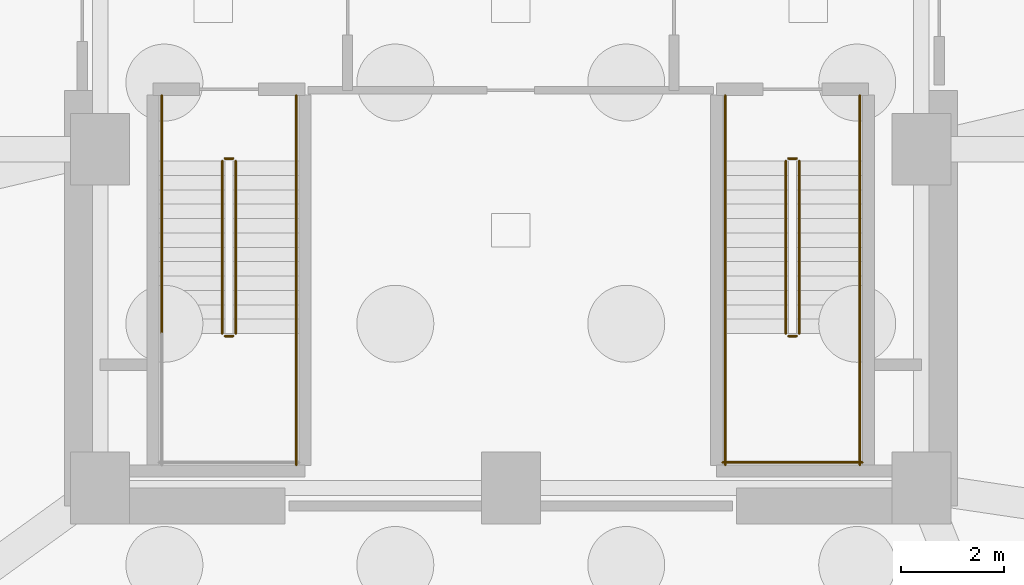
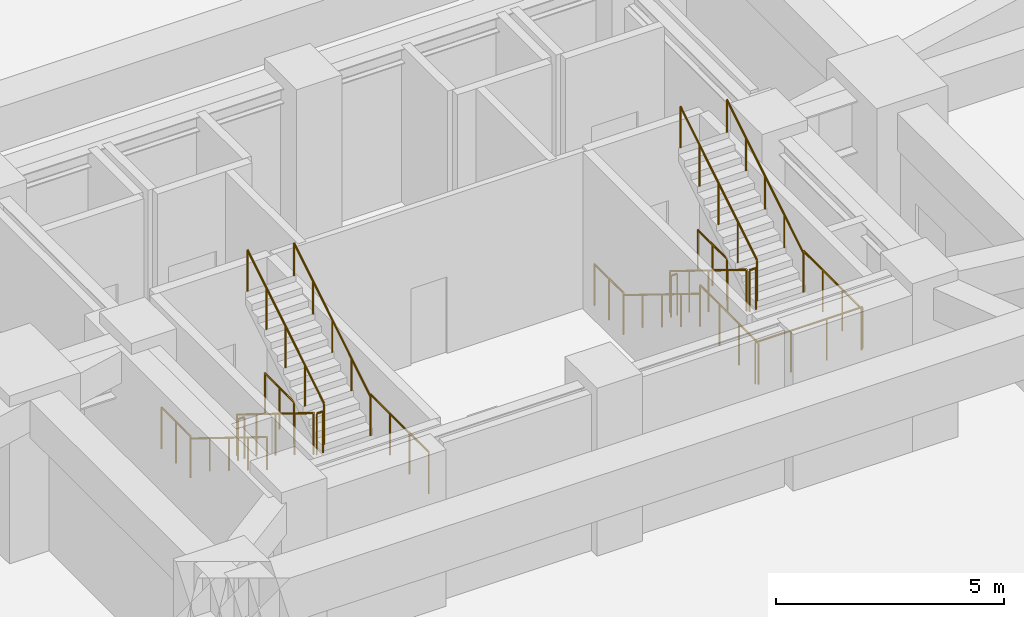
# One storey, part 7 of 10: 20 railings.
"""IFC4 building model written with IfcOpenShell, lengths in metres."""

from ifc_helpers import new_model, si_unit, direction, frame, origin, origin_2d, place, context, subcontext, project, spatial, circle, extrude, material, layer, layer_set, type_object, element, save


model = new_model("IFC4")

# Units and contexts
model_context = context("Model", 3, precision=1e-05, world=origin(), true_north=direction((0.0, 1.0)))
body_context = subcontext(model_context, "Body", "Model", "MODEL_VIEW")
ifc_project = project(units=[si_unit("LENGTHUNIT", "METRE"), si_unit("AREAUNIT", "SQUARE_METRE"), si_unit("VOLUMEUNIT", "CUBIC_METRE"), si_unit("PLANEANGLEUNIT", "RADIAN"), si_unit("MASSUNIT", "GRAM", prefix="KILO")], contexts=[model_context])

# Site, building, storey
site_placement = place(None, origin())
site = spatial("IfcSite", under=ifc_project, at=site_placement, CompositionType="ELEMENT")
building_placement = place(site_placement, origin())
building = spatial("IfcBuilding", under=site, at=building_placement, Name="Ndelora Gate Hotel", CompositionType="ELEMENT")
storey_placement = place(building_placement, frame((0.0, 0.0, -13.5)))
storey = spatial("IfcBuildingStorey", under=building, at=storey_placement, Name="B03", CompositionType="ELEMENT", Elevation=-13.5)

# Railings
ifc_material_1 = material(Name="Painted Galvanized Steel Balustrade", Category="steel")
ifc_layer_1 = layer(ifc_material_1, 0.06005859375)
ifc_layer_set_1 = layer_set([ifc_layer_1], Name="Painted Galvanized Steel Balustrade")
railing_type_1 = type_object("IfcRailingType", Name="RL-STAIR-GD", PredefinedType="GUARDRAIL", material=ifc_layer_set_1)
railing_1_placement = place(storey_placement, frame((-5.6201171875, -0.22998046875, 0.173095703125)))
element("IfcRailing", 1, at=railing_1_placement, inside=storey, type_object=railing_type_1, Name="B03 ST4 stair guard 1", PredefinedType="GUARDRAIL", context=body_context, shape_type="SweptSolid", body=[
    extrude(circle(Radius=0.02392578125, at=origin_2d()), frame((0.0, 0.0, 1.10595703125), z_axis=(0.0, -0.850623216509, 0.525775754039), x_axis=(1.0, 0.0, 0.0)), (0.0, 0.0, 1.0), 3.9501953125),
    extrude(circle(Radius=0.02099609375, at=origin_2d()), origin(), (0.0, 0.0, 1.0), 1.081787109375),
    extrude(circle(Radius=0.02099609375, at=origin_2d()), frame((0.0, -0.840087890625, 0.519287109375)), (0.0, 0.0, 1.0), 1.081787109375),
    extrude(circle(Radius=0.02099609375, at=origin_2d()), frame((0.0, -1.68017578125, 1.03857421875)), (0.0, 0.0, 1.0), 1.081787109375),
    extrude(circle(Radius=0.02099609375, at=origin_2d()), frame((0.0, -2.52001953125, 1.5576171875)), (0.0, 0.0, 1.0), 1.081787109375),
    extrude(circle(Radius=0.02099609375, at=origin_2d()), frame((0.0, -3.360107421875, 2.076904296875)), (0.0, 0.0, 1.0), 1.081787109375),
])
railing_2_placement = place(storey_placement, frame((-5.570068359375, -3.639892578125, 2.25)))
element("IfcRailing", 2, at=railing_2_placement, inside=storey, type_object=railing_type_1, Name="B03 ST4 stair guard 2", PredefinedType="GUARDRAIL", context=body_context, shape_type="SweptSolid", body=[
    extrude(circle(Radius=0.02392578125, at=origin_2d()), frame((0.0, 0.0, 1.10595703125), z_axis=(1.0, 0.0, 0.0), x_axis=(0.0, 1.0, 0.0)), (0.0, 0.0, 1.0), 0.16015625),
    extrude(circle(Radius=0.02099609375, at=origin_2d()), origin(), (0.0, 0.0, 1.0), 1.081787109375),
    extrude(circle(Radius=0.02099609375, at=origin_2d()), frame((0.16015625, 0.0, 0.0)), (0.0, 0.0, 1.0), 1.081787109375),
])
railing_3_placement = place(storey_placement, frame((-4.179931640625, -3.590087890625, 2.25)))
element("IfcRailing", 3, at=railing_3_placement, inside=storey, type_object=railing_type_1, Name="B03 ST4 stair guard 4", PredefinedType="GUARDRAIL", context=body_context, shape_type="SweptSolid", body=[
    extrude(circle(Radius=0.02392578125, at=origin_2d()), frame((0.0, 0.0, 1.10595703125), z_axis=(0.0, -1.0, 0.0), x_axis=(1.0, 0.0, 0.0)), (0.0, 0.0, 1.0), 2.559814453125),
    extrude(circle(Radius=0.02099609375, at=origin_2d()), origin(), (0.0, 0.0, 1.0), 1.081787109375),
    extrude(circle(Radius=0.02099609375, at=origin_2d()), frame((0.0, -0.853271484375, 0.0)), (0.0, 0.0, 1.0), 1.081787109375),
    extrude(circle(Radius=0.02099609375, at=origin_2d()), frame((0.0, -1.70654296875, 0.0)), (0.0, 0.0, 1.0), 1.081787109375),
    extrude(circle(Radius=0.02099609375, at=origin_2d()), frame((0.0, -2.559814453125, 0.0)), (0.0, 0.0, 1.0), 1.081787109375),
])
railing_4_placement = place(storey_placement, frame((-5.360107421875, -3.590087890625, 2.423095703125)))
element("IfcRailing", 4, at=railing_4_placement, inside=storey, type_object=railing_type_1, Name="B03 ST4 stair guard 6", PredefinedType="GUARDRAIL", context=body_context, shape_type="SweptSolid", body=[
    extrude(circle(Radius=0.02392578125, at=origin_2d()), frame((0.0, 0.0, 1.10595703125), z_axis=(0.0, 0.850623216509, 0.525775754039), x_axis=(-1.0, 0.0, 0.0)), (0.0, 0.0, 1.0), 3.9501953125),
    extrude(circle(Radius=0.02099609375, at=origin_2d()), origin(), (0.0, 0.0, 1.0), 1.081787109375),
    extrude(circle(Radius=0.02099609375, at=origin_2d()), frame((0.0, 0.840087890625, 0.519287109375)), (0.0, 0.0, 1.0), 1.081787109375),
    extrude(circle(Radius=0.02099609375, at=origin_2d()), frame((0.0, 1.68017578125, 1.03857421875)), (0.0, 0.0, 1.0), 1.081787109375),
    extrude(circle(Radius=0.02099609375, at=origin_2d()), frame((0.0, 2.52001953125, 1.5576171875)), (0.0, 0.0, 1.0), 1.081787109375),
    extrude(circle(Radius=0.02099609375, at=origin_2d()), frame((0.0, 3.360107421875, 2.076904296875)), (0.0, 0.0, 1.0), 1.081787109375),
])
railing_5_placement = place(storey_placement, frame((-5.570068359375, -0.179931640625, 0.0)))
element("IfcRailing", 5, at=railing_5_placement, inside=storey, type_object=railing_type_1, Name="B03 ST4 stair guard 7", PredefinedType="GUARDRAIL", context=body_context, shape_type="SweptSolid", body=[
    extrude(circle(Radius=0.02392578125, at=origin_2d()), frame((0.0, 0.0, 1.10595703125), z_axis=(1.0, 0.0, 0.0), x_axis=(0.0, 1.0, 0.0)), (0.0, 0.0, 1.0), 0.16015625),
    extrude(circle(Radius=0.02099609375, at=origin_2d()), origin(), (0.0, 0.0, 1.0), 1.081787109375),
    extrude(circle(Radius=0.02099609375, at=origin_2d()), frame((0.16015625, 0.0, 0.0)), (0.0, 0.0, 1.0), 1.081787109375),
])
for number, where, name in (
    (6, (-6.800048828125, 1.050048828125, 0.0), "B03 ST4 stair guard 8"),
    (7, (-4.179931640625, 1.050048828125, 0.0), "B03 ST4 stair guard 9"),
):
    element("IfcRailing", number, at=place(storey_placement, frame(where)), inside=storey, type_object=railing_type_1, Name=name, PredefinedType="GUARDRAIL", context=body_context, shape_type="SweptSolid", body=[
        extrude(circle(Radius=0.02392578125, at=origin_2d()), frame((0.0, 0.0, 1.10595703125), z_axis=(0.0, -1.0, 0.0), x_axis=(1.0, 0.0, 0.0)), (0.0, 0.0, 1.0), 1.280029296875),
        extrude(circle(Radius=0.02099609375, at=origin_2d()), origin(), (0.0, 0.0, 1.0), 1.081787109375),
        extrude(circle(Radius=0.02099609375, at=origin_2d()), frame((0.0, -0.64013671875, 0.0)), (0.0, 0.0, 1.0), 1.081787109375),
        extrude(circle(Radius=0.02099609375, at=origin_2d()), frame((0.0, -1.280029296875, 0.0)), (0.0, 0.0, 1.0), 1.081787109375),
    ])
railing_6_placement = place(storey_placement, frame((5.360107421875, -0.22998046875, 0.173095703125)))
element("IfcRailing", 8, at=railing_6_placement, inside=storey, type_object=railing_type_1, Name="B03 ST5 stair guard 1", PredefinedType="GUARDRAIL", context=body_context, shape_type="SweptSolid", body=[
    extrude(circle(Radius=0.02392578125, at=origin_2d()), frame((0.0, 0.0, 1.10595703125), z_axis=(0.0, -0.850623216509, 0.525775754039), x_axis=(1.0, 0.0, 0.0)), (0.0, 0.0, 1.0), 3.9501953125),
    extrude(circle(Radius=0.02099609375, at=origin_2d()), origin(), (0.0, 0.0, 1.0), 1.081787109375),
    extrude(circle(Radius=0.02099609375, at=origin_2d()), frame((0.0, -0.840087890625, 0.519287109375)), (0.0, 0.0, 1.0), 1.081787109375),
    extrude(circle(Radius=0.02099609375, at=origin_2d()), frame((0.0, -1.68017578125, 1.03857421875)), (0.0, 0.0, 1.0), 1.081787109375),
    extrude(circle(Radius=0.02099609375, at=origin_2d()), frame((0.0, -2.52001953125, 1.5576171875)), (0.0, 0.0, 1.0), 1.081787109375),
    extrude(circle(Radius=0.02099609375, at=origin_2d()), frame((0.0, -3.360107421875, 2.076904296875)), (0.0, 0.0, 1.0), 1.081787109375),
])
railing_7_placement = place(storey_placement, frame((5.409912109375, -3.639892578125, 2.25)))
element("IfcRailing", 9, at=railing_7_placement, inside=storey, type_object=railing_type_1, Name="B03 ST5 stair guard 2", PredefinedType="GUARDRAIL", context=body_context, shape_type="SweptSolid", body=[
    extrude(circle(Radius=0.02392578125, at=origin_2d()), frame((0.0, 0.0, 1.10595703125), z_axis=(1.0, 0.0, 0.0), x_axis=(0.0, 1.0, 0.0)), (0.0, 0.0, 1.0), 0.16015625),
    extrude(circle(Radius=0.02099609375, at=origin_2d()), origin(), (0.0, 0.0, 1.0), 1.081787109375),
    extrude(circle(Radius=0.02099609375, at=origin_2d()), frame((0.16015625, 0.0, 0.0)), (0.0, 0.0, 1.0), 1.081787109375),
])
for number, where, name in (
    (10, (4.179931640625, -3.590087890625, 2.25), "B03 ST5 stair guard 3"),
    (11, (6.800048828125, -3.590087890625, 2.25), "B03 ST5 stair guard 4"),
):
    element("IfcRailing", number, at=place(storey_placement, frame(where)), inside=storey, type_object=railing_type_1, Name=name, PredefinedType="GUARDRAIL", context=body_context, shape_type="SweptSolid", body=[
        extrude(circle(Radius=0.02392578125, at=origin_2d()), frame((0.0, 0.0, 1.10595703125), z_axis=(0.0, -1.0, 0.0), x_axis=(1.0, 0.0, 0.0)), (0.0, 0.0, 1.0), 2.559814453125),
        extrude(circle(Radius=0.02099609375, at=origin_2d()), origin(), (0.0, 0.0, 1.0), 1.081787109375),
        extrude(circle(Radius=0.02099609375, at=origin_2d()), frame((0.0, -0.853271484375, 0.0)), (0.0, 0.0, 1.0), 1.081787109375),
        extrude(circle(Radius=0.02099609375, at=origin_2d()), frame((0.0, -1.70654296875, 0.0)), (0.0, 0.0, 1.0), 1.081787109375),
        extrude(circle(Radius=0.02099609375, at=origin_2d()), frame((0.0, -2.559814453125, 0.0)), (0.0, 0.0, 1.0), 1.081787109375),
    ])
railing_8_placement = place(storey_placement, frame((4.1298828125, -6.10009765625, 2.25)))
element("IfcRailing", 12, at=railing_8_placement, inside=storey, type_object=railing_type_1, Name="B03 ST5 stair guard 5", PredefinedType="GUARDRAIL", context=body_context, shape_type="SweptSolid", body=[
    extrude(circle(Radius=0.02392578125, at=origin_2d()), frame((0.0, 0.0, 1.10595703125), z_axis=(1.0, 0.0, 0.0), x_axis=(0.0, 1.0, 0.0)), (0.0, 0.0, 1.0), 2.72021484375),
    extrude(circle(Radius=0.02099609375, at=origin_2d()), origin(), (0.0, 0.0, 1.0), 1.081787109375),
    extrude(circle(Radius=0.02099609375, at=origin_2d()), frame((0.90673828125, 0.0, 0.0)), (0.0, 0.0, 1.0), 1.081787109375),
    extrude(circle(Radius=0.02099609375, at=origin_2d()), frame((1.8134765625, 0.0, 0.0)), (0.0, 0.0, 1.0), 1.081787109375),
    extrude(circle(Radius=0.02099609375, at=origin_2d()), frame((2.72021484375, 0.0, 0.0)), (0.0, 0.0, 1.0), 1.081787109375),
])
railing_9_placement = place(storey_placement, frame((5.6201171875, -3.590087890625, 2.423095703125)))
element("IfcRailing", 13, at=railing_9_placement, inside=storey, type_object=railing_type_1, Name="B03 ST5 stair guard 6", PredefinedType="GUARDRAIL", context=body_context, shape_type="SweptSolid", body=[
    extrude(circle(Radius=0.02392578125, at=origin_2d()), frame((0.0, 0.0, 1.10595703125), z_axis=(0.0, 0.850623216509, 0.525775754039), x_axis=(-1.0, 0.0, 0.0)), (0.0, 0.0, 1.0), 3.9501953125),
    extrude(circle(Radius=0.02099609375, at=origin_2d()), origin(), (0.0, 0.0, 1.0), 1.081787109375),
    extrude(circle(Radius=0.02099609375, at=origin_2d()), frame((0.0, 0.840087890625, 0.519287109375)), (0.0, 0.0, 1.0), 1.081787109375),
    extrude(circle(Radius=0.02099609375, at=origin_2d()), frame((0.0, 1.68017578125, 1.03857421875)), (0.0, 0.0, 1.0), 1.081787109375),
    extrude(circle(Radius=0.02099609375, at=origin_2d()), frame((0.0, 2.52001953125, 1.5576171875)), (0.0, 0.0, 1.0), 1.081787109375),
    extrude(circle(Radius=0.02099609375, at=origin_2d()), frame((0.0, 3.360107421875, 2.076904296875)), (0.0, 0.0, 1.0), 1.081787109375),
])
railing_10_placement = place(storey_placement, frame((5.409912109375, -0.179931640625, 0.0)))
element("IfcRailing", 14, at=railing_10_placement, inside=storey, type_object=railing_type_1, Name="B03 ST5 stair guard 7", PredefinedType="GUARDRAIL", context=body_context, shape_type="SweptSolid", body=[
    extrude(circle(Radius=0.02392578125, at=origin_2d()), frame((0.0, 0.0, 1.10595703125), z_axis=(1.0, 0.0, 0.0), x_axis=(0.0, 1.0, 0.0)), (0.0, 0.0, 1.0), 0.16015625),
    extrude(circle(Radius=0.02099609375, at=origin_2d()), origin(), (0.0, 0.0, 1.0), 1.081787109375),
    extrude(circle(Radius=0.02099609375, at=origin_2d()), frame((0.16015625, 0.0, 0.0)), (0.0, 0.0, 1.0), 1.081787109375),
])
for number, where, name in (
    (15, (4.179931640625, 1.050048828125, 0.0), "B03 ST5 stair guard 8"),
    (16, (6.800048828125, 1.050048828125, 0.0), "B03 ST5 stair guard 9"),
):
    element("IfcRailing", number, at=place(storey_placement, frame(where)), inside=storey, type_object=railing_type_1, Name=name, PredefinedType="GUARDRAIL", context=body_context, shape_type="SweptSolid", body=[
        extrude(circle(Radius=0.02392578125, at=origin_2d()), frame((0.0, 0.0, 1.10595703125), z_axis=(0.0, -1.0, 0.0), x_axis=(1.0, 0.0, 0.0)), (0.0, 0.0, 1.0), 1.280029296875),
        extrude(circle(Radius=0.02099609375, at=origin_2d()), origin(), (0.0, 0.0, 1.0), 1.081787109375),
        extrude(circle(Radius=0.02099609375, at=origin_2d()), frame((0.0, -0.64013671875, 0.0)), (0.0, 0.0, 1.0), 1.081787109375),
        extrude(circle(Radius=0.02099609375, at=origin_2d()), frame((0.0, -1.280029296875, 0.0)), (0.0, 0.0, 1.0), 1.081787109375),
    ])
ifc_material_2 = material(Name="Brushed Stainless Steel 316", Category="steel")
ifc_layer_2 = layer(ifc_material_2, 0.050048828125)
ifc_layer_set_2 = layer_set([ifc_layer_2], Name="Brushed Stainless Steel 316")
railing_type_2 = type_object("IfcRailingType", Name="RL-STAIR-HR", PredefinedType="HANDRAIL", material=ifc_layer_set_2)
railing_11_placement = place(storey_placement, frame((-6.800048828125, -0.22998046875, 0.173095703125)))
element("IfcRailing", 17, at=railing_11_placement, inside=storey, type_object=railing_type_2, Name="B03 ST4 stair handrail 1", PredefinedType="HANDRAIL", context=body_context, shape_type="SweptSolid", body=[
    extrude(circle(Radius=0.02392578125, at=origin_2d()), frame((0.0, 0.0, 0.8759765625), z_axis=(0.0, -0.850623216509, 0.525775754039), x_axis=(1.0, 0.0, 0.0)), (0.0, 0.0, 1.0), 3.9501953125),
    extrude(circle(Radius=0.02099609375, at=origin_2d()), origin(), (0.0, 0.0, 1.0), 0.851806640625),
    extrude(circle(Radius=0.02099609375, at=origin_2d()), frame((0.0, -0.840087890625, 0.519287109375)), (0.0, 0.0, 1.0), 0.851806640625),
    extrude(circle(Radius=0.02099609375, at=origin_2d()), frame((0.0, -1.68017578125, 1.03857421875)), (0.0, 0.0, 1.0), 0.851806640625),
    extrude(circle(Radius=0.02099609375, at=origin_2d()), frame((0.0, -2.52001953125, 1.5576171875)), (0.0, 0.0, 1.0), 0.851806640625),
    extrude(circle(Radius=0.02099609375, at=origin_2d()), frame((0.0, -3.360107421875, 2.076904296875)), (0.0, 0.0, 1.0), 0.851806640625),
])
railing_12_placement = place(storey_placement, frame((-4.179931640625, -3.590087890625, 2.423095703125)))
element("IfcRailing", 18, at=railing_12_placement, inside=storey, type_object=railing_type_2, Name="B03 ST4 stair handrail 2", PredefinedType="HANDRAIL", context=body_context, shape_type="SweptSolid", body=[
    extrude(circle(Radius=0.02392578125, at=origin_2d()), frame((0.0, 0.0, 0.8759765625), z_axis=(0.0, 0.850623216509, 0.525775754039), x_axis=(-1.0, 0.0, 0.0)), (0.0, 0.0, 1.0), 3.9501953125),
    extrude(circle(Radius=0.02099609375, at=origin_2d()), origin(), (0.0, 0.0, 1.0), 0.851806640625),
    extrude(circle(Radius=0.02099609375, at=origin_2d()), frame((0.0, 0.840087890625, 0.519287109375)), (0.0, 0.0, 1.0), 0.851806640625),
    extrude(circle(Radius=0.02099609375, at=origin_2d()), frame((0.0, 1.68017578125, 1.03857421875)), (0.0, 0.0, 1.0), 0.851806640625),
    extrude(circle(Radius=0.02099609375, at=origin_2d()), frame((0.0, 2.52001953125, 1.5576171875)), (0.0, 0.0, 1.0), 0.851806640625),
    extrude(circle(Radius=0.02099609375, at=origin_2d()), frame((0.0, 3.360107421875, 2.076904296875)), (0.0, 0.0, 1.0), 0.851806640625),
])
railing_13_placement = place(storey_placement, frame((4.179931640625, -0.22998046875, 0.173095703125)))
element("IfcRailing", 19, at=railing_13_placement, inside=storey, type_object=railing_type_2, Name="B03 ST5 stair handrail 1", PredefinedType="HANDRAIL", context=body_context, shape_type="SweptSolid", body=[
    extrude(circle(Radius=0.02392578125, at=origin_2d()), frame((0.0, 0.0, 0.8759765625), z_axis=(0.0, -0.850623216509, 0.525775754039), x_axis=(1.0, 0.0, 0.0)), (0.0, 0.0, 1.0), 3.9501953125),
    extrude(circle(Radius=0.02099609375, at=origin_2d()), origin(), (0.0, 0.0, 1.0), 0.851806640625),
    extrude(circle(Radius=0.02099609375, at=origin_2d()), frame((0.0, -0.840087890625, 0.519287109375)), (0.0, 0.0, 1.0), 0.851806640625),
    extrude(circle(Radius=0.02099609375, at=origin_2d()), frame((0.0, -1.68017578125, 1.03857421875)), (0.0, 0.0, 1.0), 0.851806640625),
    extrude(circle(Radius=0.02099609375, at=origin_2d()), frame((0.0, -2.52001953125, 1.5576171875)), (0.0, 0.0, 1.0), 0.851806640625),
    extrude(circle(Radius=0.02099609375, at=origin_2d()), frame((0.0, -3.360107421875, 2.076904296875)), (0.0, 0.0, 1.0), 0.851806640625),
])
railing_14_placement = place(storey_placement, frame((6.800048828125, -3.590087890625, 2.423095703125)))
element("IfcRailing", 20, at=railing_14_placement, inside=storey, type_object=railing_type_2, Name="B03 ST5 stair handrail 2", PredefinedType="HANDRAIL", context=body_context, shape_type="SweptSolid", body=[
    extrude(circle(Radius=0.02392578125, at=origin_2d()), frame((0.0, 0.0, 0.8759765625), z_axis=(0.0, 0.850623216509, 0.525775754039), x_axis=(-1.0, 0.0, 0.0)), (0.0, 0.0, 1.0), 3.9501953125),
    extrude(circle(Radius=0.02099609375, at=origin_2d()), origin(), (0.0, 0.0, 1.0), 0.851806640625),
    extrude(circle(Radius=0.02099609375, at=origin_2d()), frame((0.0, 0.840087890625, 0.519287109375)), (0.0, 0.0, 1.0), 0.851806640625),
    extrude(circle(Radius=0.02099609375, at=origin_2d()), frame((0.0, 1.68017578125, 1.03857421875)), (0.0, 0.0, 1.0), 0.851806640625),
    extrude(circle(Radius=0.02099609375, at=origin_2d()), frame((0.0, 2.52001953125, 1.5576171875)), (0.0, 0.0, 1.0), 0.851806640625),
    extrude(circle(Radius=0.02099609375, at=origin_2d()), frame((0.0, 3.360107421875, 2.076904296875)), (0.0, 0.0, 1.0), 0.851806640625),
])

save(model, "model.ifc")
